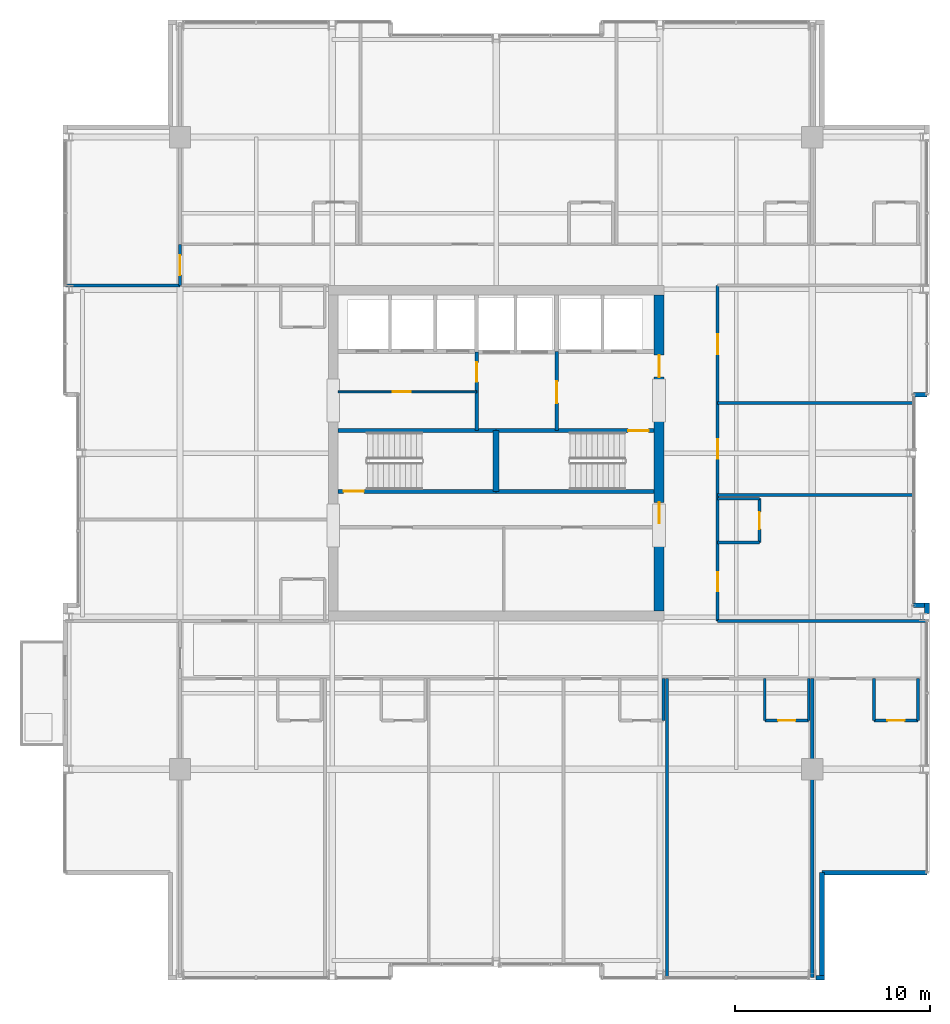
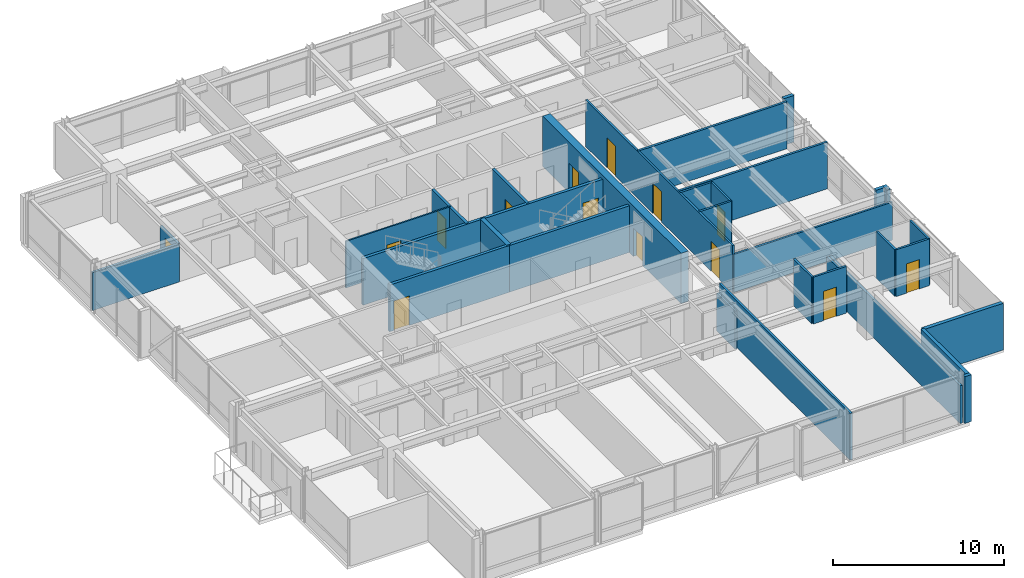
# One storey, part 27 of 32: 33 walls, 14 doors, 14 openings.
"""IFC4 building model written with IfcOpenShell, lengths in metres."""

from ifc_helpers import new_model, si_unit, direction, frame, frame_2d, origin, place, context, subcontext, project, spatial, rectangle, extrude, material, layer, layer_set, type_object, element, fill, save


model = new_model("IFC4")

# Units and contexts
model_context = context("Model", 3, precision=1e-05, world=origin(), true_north=direction((0.0, 1.0)))
body_context = subcontext(model_context, "Body", "Model", "MODEL_VIEW")
ifc_project = project(units=[si_unit("LENGTHUNIT", "METRE"), si_unit("AREAUNIT", "SQUARE_METRE"), si_unit("VOLUMEUNIT", "CUBIC_METRE"), si_unit("PLANEANGLEUNIT", "RADIAN"), si_unit("MASSUNIT", "GRAM", prefix="KILO")], contexts=[model_context])

# Site, building, storey
site_placement = place(None, origin())
site = spatial("IfcSite", under=ifc_project, at=site_placement, CompositionType="ELEMENT")
building_placement = place(site_placement, origin())
building = spatial("IfcBuilding", under=site, at=building_placement, Name="Drelvath Grand Hotel", CompositionType="ELEMENT")
storey_placement = place(building_placement, frame((0.0, 0.0, 226.699951171875)))
storey = spatial("IfcBuildingStorey", under=building, at=storey_placement, Name="L59", CompositionType="ELEMENT", Elevation=226.699951171875)

# Wall, opening, door
ifc_material_1 = material(Name="Gypsum Partition Board")
ifc_layer_1 = layer(ifc_material_1, 0.10009765625)
ifc_layer_set_1 = layer_set([ifc_layer_1], Name="Gypsum Partition Board")
wall_type_1 = type_object("IfcWallType", Name="Core Closet Partition 100", PredefinedType="PARTITIONING", material=ifc_layer_set_1)
wall_1_placement = place(storey_placement, frame((-8.10009765625, 30.139892578125, 0.0), z_axis=(0.0, 0.0, 1.0), x_axis=(1.0, 0.0, 0.0)))
wall_1 = element("IfcWall", 1, at=wall_1_placement, inside=storey, type_object=wall_type_1, Name="L59 High-Rise Lobby Closet Wall", PredefinedType="PARTITIONING", context=body_context, shape_type="SweptSolid", body=[
    extrude(rectangle(XDim=7.10009765625, YDim=0.10009765625, at=frame_2d((3.550048828125, 0.0))), origin(), (0.0, 0.0, 1.0), 3.340087890625),
])
opening_1_placement = place(wall_1_placement, frame((2.800048828125, 0.0, 0.0)))
opening_1 = element("IfcOpeningElement", 2, at=opening_1_placement, cuts=wall_1, Name="Opening D-T4G3-013", PredefinedType="OPENING", context=body_context, shape_type="SweptSolid", body=[
    extrude(rectangle(XDim=0.919921875, YDim=2.10009765625, at=frame_2d((0.4599609375, 1.050048828125))), frame((0.0, 0.06005859375, 0.0), z_axis=(0.0, -1.0, 0.0), x_axis=(1.0, 0.0, 0.0)), (0.0, 0.0, 1.0), 0.1201171875),
])
ifc_material_2 = material(Name="Painted Steel S275", Category="steel")
door_type_1 = type_object("IfcDoorType", Name="Staff Utility Door 920x2100", OperationType="NOTDEFINED", PredefinedType="DOOR", material=ifc_material_2)
door_1_placement = place(opening_1_placement, origin())
door_1 = element("IfcDoor", 3, at=door_1_placement, inside=storey, type_object=door_type_1, Name="L59 Core Telecom Door", OperationType="SINGLE_SWING_RIGHT", OverallHeight=2.10009765625, OverallWidth=0.919921875, PredefinedType="DOOR", context=body_context, shape_type="SweptSolid", body=[
    extrude(rectangle(XDim=0.919921875, YDim=2.10009765625, at=frame_2d((0.4599609375, 1.050048828125))), frame((0.0, 0.02490234375, 0.0), z_axis=(0.0, -1.0, 0.0), x_axis=(1.0, 0.0, 0.0)), (0.0, 0.0, 1.0), 0.050048828125),
])
fill(opening_1, door_1)

ifc_material_3 = material(Name="Concrete C40/50", Category="concrete")
ifc_layer_2 = layer(ifc_material_3, 0.199951171875)
ifc_layer_set_2 = layer_set([ifc_layer_2], Name="Concrete C40/50")
wall_type_2 = type_object("IfcWallType", Name="Core Shaft Fire Wall 200", PredefinedType="SOLIDWALL", material=ifc_layer_set_2)
wall_2_placement = place(storey_placement, frame((-8.10009765625, 25.0400390625, 0.0), z_axis=(0.0, 0.0, 1.0), x_axis=(1.0, 0.0, 0.0)))
wall_2 = element("IfcWall", 4, at=wall_2_placement, inside=storey, type_object=wall_type_2, Name="L59 Stair ST-1 South Wall", PredefinedType="SOLIDWALL", context=body_context, shape_type="SweptSolid", body=[
    extrude(rectangle(XDim=8.10009765625, YDim=0.199951171875, at=frame_2d((4.050048828125, 0.0))), origin(), (0.0, 0.0, 1.0), 3.340087890625),
])
opening_2_placement = place(wall_2_placement, frame((0.280029296875, 0.0, 0.0)))
opening_2 = element("IfcOpeningElement", 5, at=opening_2_placement, cuts=wall_2, Name="Opening D-T4G3-001", PredefinedType="OPENING", context=body_context, shape_type="SweptSolid", body=[
    extrude(rectangle(XDim=1.050048828125, YDim=2.10009765625, at=frame_2d((0.52490234375, 1.050048828125))), frame((0.0, 0.10986328125, 0.0), z_axis=(0.0, -1.0, 0.0), x_axis=(1.0, 0.0, 0.0)), (0.0, 0.0, 1.0), 0.219970703125),
])
door_type_2 = type_object("IfcDoorType", Name="Tower Stairwell Fire Door 1050x2100", OperationType="NOTDEFINED", PredefinedType="DOOR", material=ifc_material_2)
door_2_placement = place(opening_2_placement, origin())
door_2 = element("IfcDoor", 6, at=door_2_placement, inside=storey, type_object=door_type_2, Name="L59 Exit Stair ST-1 Door", OperationType="SINGLE_SWING_LEFT", OverallHeight=2.10009765625, OverallWidth=1.050048828125, PredefinedType="DOOR", context=body_context, shape_type="SweptSolid", body=[
    extrude(rectangle(XDim=1.050048828125, YDim=2.10009765625, at=frame_2d((0.52490234375, 1.050048828125))), frame((0.0, 0.02490234375, 0.0), z_axis=(0.0, -1.0, 0.0), x_axis=(1.0, 0.0, 0.0)), (0.0, 0.0, 1.0), 0.050048828125),
])
fill(opening_2, door_2)

# Walls
for number, where, z_axis, x_axis, name in (
    (7, (-8.10009765625, 28.159912109375, 0.0), (0.0, 0.0, 1.0), (1.0, 0.0, 0.0), "L59 Stair ST-1 North Wall"),
    (8, (0.0, 25.0400390625, 0.0), (0.0, 0.0, 1.0), (1.0, 0.0, 0.0), "L59 Stair ST-2 South Wall"),
):
    element("IfcWall", number, at=place(storey_placement, frame(where, z_axis=z_axis, x_axis=x_axis)), inside=storey, type_object=wall_type_2, Name=name, PredefinedType="SOLIDWALL", context=body_context, shape_type="SweptSolid", body=[
        extrude(rectangle(XDim=8.10009765625, YDim=0.199951171875, at=frame_2d((4.050048828125, 0.0))), origin(), (0.0, 0.0, 1.0), 3.340087890625),
    ])

# Wall, opening, door
wall_3_placement = place(storey_placement, frame((8.10009765625, 28.159912109375, 0.0), z_axis=(0.0, 0.0, 1.0), x_axis=(-1.0, 0.0, 0.0)))
wall_3 = element("IfcWall", 9, at=wall_3_placement, inside=storey, type_object=wall_type_2, Name="L59 Stair ST-2 North Wall", PredefinedType="SOLIDWALL", context=body_context, shape_type="SweptSolid", body=[
    extrude(rectangle(XDim=8.10009765625, YDim=0.199951171875, at=frame_2d((4.050048828125, 0.0))), origin(), (0.0, 0.0, 1.0), 3.340087890625),
])
opening_3_placement = place(wall_3_placement, frame((0.280029296875, 0.0, 0.0)))
opening_3 = element("IfcOpeningElement", 10, at=opening_3_placement, cuts=wall_3, Name="Opening D-T4G3-002", PredefinedType="OPENING", context=body_context, shape_type="SweptSolid", body=[
    extrude(rectangle(XDim=1.050048828125, YDim=2.10009765625, at=frame_2d((0.52490234375, 1.050048828125))), frame((0.0, 0.10986328125, 0.0), z_axis=(0.0, -1.0, 0.0), x_axis=(1.0, 0.0, 0.0)), (0.0, 0.0, 1.0), 0.219970703125),
])
door_3_placement = place(opening_3_placement, origin())
door_3 = element("IfcDoor", 11, at=door_3_placement, inside=storey, type_object=door_type_2, Name="L59 Exit Stair ST-2 Door", OperationType="SINGLE_SWING_LEFT", OverallHeight=2.10009765625, OverallWidth=1.050048828125, PredefinedType="DOOR", context=body_context, shape_type="SweptSolid", body=[
    extrude(rectangle(XDim=1.050048828125, YDim=2.10009765625, at=frame_2d((0.52490234375, 1.050048828125))), frame((0.0, 0.02490234375, 0.0), z_axis=(0.0, -1.0, 0.0), x_axis=(1.0, 0.0, 0.0)), (0.0, 0.0, 1.0), 0.050048828125),
])
fill(opening_3, door_3)

# Walls
ifc_layer_3 = layer(ifc_material_3, 0.300048828125)
ifc_layer_set_3 = layer_set([ifc_layer_3], Name="Concrete C40/50")
wall_type_3 = type_object("IfcWallType", Name="Core Shaft Fire Wall 300", PredefinedType="SOLIDWALL", material=ifc_layer_set_3)
wall_4_placement = place(storey_placement, frame((0.0, 25.0400390625, 0.0), z_axis=(0.0, 0.0, 1.0), x_axis=(0.0, 1.0, 0.0)))
element("IfcWall", 12, at=wall_4_placement, inside=storey, type_object=wall_type_3, Name="L59 Core Stair Divider Wall", PredefinedType="SOLIDWALL", context=body_context, shape_type="SweptSolid", body=[
    extrude(rectangle(XDim=3.119873046875, YDim=0.300048828125, at=frame_2d((1.56005859375, 0.0))), origin(), (0.0, 0.0, 1.0), 3.340087890625),
])
ifc_material_4 = material(Name="Gypsum Fireboard Partition")
ifc_layer_4 = layer(ifc_material_4, 0.135009765625)
ifc_layer_set_4 = layer_set([ifc_layer_4], Name="Gypsum Fireboard Partition")
wall_type_4 = type_object("IfcWallType", Name="Corridor Fire Barrier Wall 135", PredefinedType="PARTITIONING", material=ifc_layer_set_4)
wall_5_placement = place(storey_placement, frame((11.35009765625, 18.39990234375, 0.0), z_axis=(0.0, 0.0, 1.0), x_axis=(1.0, 0.0, 0.0)))
element("IfcWall", 13, at=wall_5_placement, inside=storey, type_object=wall_type_4, Name="L59 South Gallery Inner East Wall", PredefinedType="PARTITIONING", context=body_context, shape_type="SweptSolid", body=[
    extrude(rectangle(XDim=10.72998046875, YDim=0.135009765625, at=frame_2d((5.364990234375, 0.0))), origin(), (0.0, 0.0, 1.0), 2.717529296875),
])

# Wall, openings, doors
wall_6_placement = place(storey_placement, frame((11.35009765625, 18.39990234375, 0.0), z_axis=(0.0, 0.0, 1.0), x_axis=(0.0, 1.0, 0.0)))
wall_6 = element("IfcWall", 14, at=wall_6_placement, inside=storey, type_object=wall_type_4, Name="L59 East Gallery Link Wall", PredefinedType="PARTITIONING", context=body_context, shape_type="SweptSolid", body=[
    extrude(rectangle(XDim=17.2001953125, YDim=0.135009765625, at=frame_2d((8.60009765625, 0.0))), origin(), (0.0, 0.0, 1.0), 3.340087890625),
])
opening_4_placement = place(wall_6_placement, frame((1.530029296875, 0.0, 0.0)))
opening_4 = element("IfcOpeningElement", 15, at=opening_4_placement, cuts=wall_6, Name="Opening D-T4G3-039", PredefinedType="OPENING", context=body_context, shape_type="SweptSolid", body=[
    extrude(rectangle(XDim=0.9599609375, YDim=2.14990234375, at=frame_2d((0.47998046875, 1.074951171875))), frame((0.0, 0.077392578125, 0.0), z_axis=(0.0, -1.0, 0.0), x_axis=(1.0, 0.0, 0.0)), (0.0, 0.0, 1.0), 0.155029296875),
])
opening_5_placement = place(wall_6_placement, frame((8.304931640625, 0.0, 0.0)))
opening_5 = element("IfcOpeningElement", 16, at=opening_5_placement, cuts=wall_6, Name="Opening D-T4G3-040", PredefinedType="OPENING", context=body_context, shape_type="SweptSolid", body=[
    extrude(rectangle(XDim=1.02001953125, YDim=2.14990234375, at=frame_2d((0.510009765625, 1.074951171875))), frame((0.0, 0.077392578125, 0.0), z_axis=(0.0, -1.0, 0.0), x_axis=(1.0, 0.0, 0.0)), (0.0, 0.0, 1.0), 0.155029296875),
])
opening_6_placement = place(wall_6_placement, frame((13.679931640625, 0.0, 0.0)))
opening_6 = element("IfcOpeningElement", 17, at=opening_6_placement, cuts=wall_6, Name="Opening D-T4G3-041", PredefinedType="OPENING", context=body_context, shape_type="SweptSolid", body=[
    extrude(rectangle(XDim=1.02001953125, YDim=2.14990234375, at=frame_2d((0.510009765625, 1.074951171875))), frame((0.0, 0.077392578125, 0.0), z_axis=(0.0, -1.0, 0.0), x_axis=(1.0, 0.0, 0.0)), (0.0, 0.0, 1.0), 0.155029296875),
])
ifc_material_5 = material(Name="Hardwood Walnut Timber", Category="wood")
door_type_3 = type_object("IfcDoorType", Name="Amenity Meeting Fire Door 1020x2150", OperationType="NOTDEFINED", PredefinedType="DOOR", material=ifc_material_5)
door_4_placement = place(opening_5_placement, origin())
door_4 = element("IfcDoor", 18, at=door_4_placement, inside=storey, type_object=door_type_3, Name="L59 Quiet Study Library Entry Door", OperationType="SINGLE_SWING_LEFT", OverallHeight=2.14990234375, OverallWidth=1.02001953125, PredefinedType="DOOR", context=body_context, shape_type="SweptSolid", body=[
    extrude(rectangle(XDim=1.02001953125, YDim=2.14990234375, at=frame_2d((0.510009765625, 1.074951171875))), frame((0.0, 0.02490234375, 0.0), z_axis=(0.0, -1.0, 0.0), x_axis=(1.0, 0.0, 0.0)), (0.0, 0.0, 1.0), 0.050048828125),
])
fill(opening_5, door_4)
door_5_placement = place(opening_6_placement, origin())
door_5 = element("IfcDoor", 19, at=door_5_placement, inside=storey, type_object=door_type_3, Name="L59 Press Briefing Room Entry Door", OperationType="SINGLE_SWING_RIGHT", OverallHeight=2.14990234375, OverallWidth=1.02001953125, PredefinedType="DOOR", context=body_context, shape_type="SweptSolid", body=[
    extrude(rectangle(XDim=1.02001953125, YDim=2.14990234375, at=frame_2d((0.510009765625, 1.074951171875))), frame((0.0, 0.02490234375, 0.0), z_axis=(0.0, -1.0, 0.0), x_axis=(1.0, 0.0, 0.0)), (0.0, 0.0, 1.0), 0.050048828125),
])
fill(opening_6, door_5)
door_type_4 = type_object("IfcDoorType", Name="Guestroom Entrance Fire Door 960x2150", OperationType="NOTDEFINED", PredefinedType="DOOR", material=ifc_material_5)
door_6_placement = place(opening_4_placement, origin())
door_6 = element("IfcDoor", 20, at=door_6_placement, inside=storey, type_object=door_type_4, Name="L59 Deluxe Guest Room Entry Door", OperationType="SINGLE_SWING_RIGHT", OverallHeight=2.14990234375, OverallWidth=0.9599609375, PredefinedType="DOOR", context=body_context, shape_type="SweptSolid", body=[
    extrude(rectangle(XDim=0.9599609375, YDim=2.14990234375, at=frame_2d((0.47998046875, 1.074951171875))), frame((0.0, 0.02490234375, 0.0), z_axis=(0.0, -1.0, 0.0), x_axis=(1.0, 0.0, 0.0)), (0.0, 0.0, 1.0), 0.050048828125),
])
fill(opening_4, door_6)

# Wall, opening, door
wall_7_placement = place(storey_placement, frame((-16.199951171875, 35.60009765625, 0.0), z_axis=(0.0, 0.0, 1.0), x_axis=(0.0, 1.0, 0.0)))
wall_7 = element("IfcWall", 21, at=wall_7_placement, inside=storey, type_object=wall_type_4, Name="L59 North Gallery West End", PredefinedType="PARTITIONING", context=body_context, shape_type="SweptSolid", body=[
    extrude(rectangle(XDim=2.099853515625, YDim=0.135009765625, at=frame_2d((1.0498046875, 0.0))), origin(), (0.0, 0.0, 1.0), 2.7138671875),
])
opening_7_placement = place(wall_7_placement, frame((0.52001953125, 0.0, 0.0)))
opening_7 = element("IfcOpeningElement", 22, at=opening_7_placement, cuts=wall_7, Name="Opening D-T4G3-018", PredefinedType="OPENING", context=body_context, shape_type="SweptSolid", body=[
    extrude(rectangle(XDim=1.02001953125, YDim=2.14990234375, at=frame_2d((0.510009765625, 1.074951171875))), frame((0.0, 0.077392578125, 0.0), z_axis=(0.0, -1.0, 0.0), x_axis=(1.0, 0.0, 0.0)), (0.0, 0.0, 1.0), 0.155029296875),
])
door_7_placement = place(opening_7_placement, origin())
door_7 = element("IfcDoor", 23, at=door_7_placement, inside=storey, type_object=door_type_3, Name="L59 Corner Panorama Lounge Door", OperationType="SINGLE_SWING_LEFT", OverallHeight=2.14990234375, OverallWidth=1.02001953125, PredefinedType="DOOR", context=body_context, shape_type="SweptSolid", body=[
    extrude(rectangle(XDim=1.02001953125, YDim=2.14990234375, at=frame_2d((0.510009765625, 1.074951171875))), frame((0.0, 0.02490234375, 0.0), z_axis=(0.0, -1.0, 0.0), x_axis=(1.0, 0.0, 0.0)), (0.0, 0.0, 1.0), 0.050048828125),
])
fill(opening_7, door_7)

# Walls
ifc_material_6 = material(Name="Moisture-Resistant Gypsum Board")
ifc_layer_5 = layer(ifc_material_6, 0.139892578125)
ifc_layer_set_5 = layer_set([ifc_layer_5], Name="Moisture-Resistant Gypsum Board")
wall_type_5 = type_object("IfcWallType", Name="En-Suite Plumbing Wall 140", PredefinedType="PLUMBINGWALL", material=ifc_layer_set_5)
for number, where, z_axis, x_axis, name in (
    (24, (19.3701171875, 15.449951171875, 0.0), (0.0, 0.0, 1.0), (0.0, -1.0, 0.0), "L59 En-Suite Left Wall"),
    (25, (21.6201171875, 15.449951171875, 0.0), (0.0, 0.0, 1.0), (0.0, -1.0, 0.0), "L59 En-Suite Right Wall"),
):
    element("IfcWall", number, at=place(storey_placement, frame(where, z_axis=z_axis, x_axis=x_axis)), inside=storey, type_object=wall_type_5, Name=name, PredefinedType="PLUMBINGWALL", context=body_context, shape_type="SweptSolid", body=[
        extrude(rectangle(XDim=2.14990234375, YDim=0.139892578125, at=frame_2d((1.074951171875, 0.0))), origin(), (0.0, 0.0, 1.0), 3.340087890625),
    ])

# Wall, opening, door
wall_8_placement = place(storey_placement, frame((19.3701171875, 13.300048828125, 0.0), z_axis=(0.0, 0.0, 1.0), x_axis=(1.0, 0.0, 0.0)))
wall_8 = element("IfcWall", 26, at=wall_8_placement, inside=storey, type_object=wall_type_5, Name="L59 En-Suite Front Wall", PredefinedType="PLUMBINGWALL", context=body_context, shape_type="SweptSolid", body=[
    extrude(rectangle(XDim=2.25, YDim=0.139892578125, at=frame_2d((1.125, 0.0))), origin(), (0.0, 0.0, 1.0), 3.340087890625),
])
opening_8_placement = place(wall_8_placement, frame((0.68505859375, 0.0, 0.0)))
opening_8 = element("IfcOpeningElement", 27, at=opening_8_placement, cuts=wall_8, Name="Opening D-T4G3-019", PredefinedType="OPENING", context=body_context, shape_type="SweptSolid", body=[
    extrude(rectangle(XDim=0.8798828125, YDim=2.10009765625, at=frame_2d((0.43994140625, 1.050048828125))), frame((0.0, 0.079833984375, 0.0), z_axis=(0.0, -1.0, 0.0), x_axis=(1.0, 0.0, 0.0)), (0.0, 0.0, 1.0), 0.159912109375),
])
door_type_5 = type_object("IfcDoorType", Name="En-Suite Bathroom Door 880x2100", OperationType="NOTDEFINED", PredefinedType="DOOR", material=ifc_material_5)
door_8_placement = place(opening_8_placement, origin())
door_8 = element("IfcDoor", 28, at=door_8_placement, inside=storey, type_object=door_type_5, Name="L59 En-Suite Bathroom Door", OperationType="SINGLE_SWING_RIGHT", OverallHeight=2.10009765625, OverallWidth=0.8798828125, PredefinedType="DOOR", context=body_context, shape_type="SweptSolid", body=[
    extrude(rectangle(XDim=0.8798828125, YDim=2.10009765625, at=frame_2d((0.43994140625, 1.050048828125))), frame((0.0, 0.02490234375, 0.0), z_axis=(0.0, -1.0, 0.0), x_axis=(1.0, 0.0, 0.0)), (0.0, 0.0, 1.0), 0.050048828125),
])
fill(opening_8, door_8)

# Walls
wall_9_placement = place(storey_placement, frame((8.583984375, 15.449951171875, 0.0), z_axis=(0.0, 0.0, 1.0), x_axis=(0.0, -1.0, 0.0)))
element("IfcWall", 29, at=wall_9_placement, inside=storey, type_object=wall_type_5, Name="L59 En-Suite Right Wall", PredefinedType="PLUMBINGWALL", context=body_context, shape_type="SweptSolid", body=[
    extrude(rectangle(XDim=2.14990234375, YDim=0.139892578125, at=frame_2d((1.074951171875, 0.0))), origin(), (0.0, 0.0, 1.0), 2.717529296875),
])
wall_10_placement = place(storey_placement, frame((13.77001953125, 15.449951171875, 0.0), z_axis=(0.0, 0.0, 1.0), x_axis=(0.0, -1.0, 0.0)))
element("IfcWall", 30, at=wall_10_placement, inside=storey, type_object=wall_type_5, Name="L59 En-Suite Left Wall", PredefinedType="PLUMBINGWALL", context=body_context, shape_type="SweptSolid", body=[
    extrude(rectangle(XDim=2.14990234375, YDim=0.139892578125, at=frame_2d((1.074951171875, 0.0))), origin(), (0.0, 0.0, 1.0), 3.340087890625),
])
wall_11_placement = place(storey_placement, frame((16.02001953125, 15.449951171875, 0.0), z_axis=(0.0, 0.0, 1.0), x_axis=(0.0, -1.0, 0.0)))
element("IfcWall", 31, at=wall_11_placement, inside=storey, type_object=wall_type_5, Name="L59 En-Suite Right Wall", PredefinedType="PLUMBINGWALL", context=body_context, shape_type="SweptSolid", body=[
    extrude(rectangle(XDim=2.14990234375, YDim=0.139892578125, at=frame_2d((1.074951171875, 0.0))), origin(), (0.0, 0.0, 1.0), 2.7138671875),
])

# Wall, opening, door
wall_12_placement = place(storey_placement, frame((13.77001953125, 13.300048828125, 0.0), z_axis=(0.0, 0.0, 1.0), x_axis=(1.0, 0.0, 0.0)))
wall_12 = element("IfcWall", 32, at=wall_12_placement, inside=storey, type_object=wall_type_5, Name="L59 En-Suite Front Wall", PredefinedType="PLUMBINGWALL", context=body_context, shape_type="SweptSolid", body=[
    extrude(rectangle(XDim=2.25, YDim=0.139892578125, at=frame_2d((1.125, 0.0))), origin(), (0.0, 0.0, 1.0), 3.340087890625),
])
opening_9_placement = place(wall_12_placement, frame((0.68505859375, 0.0, 0.0)))
opening_9 = element("IfcOpeningElement", 33, at=opening_9_placement, cuts=wall_12, Name="Opening D-T4G3-030", PredefinedType="OPENING", context=body_context, shape_type="SweptSolid", body=[
    extrude(rectangle(XDim=0.8798828125, YDim=2.10009765625, at=frame_2d((0.43994140625, 1.050048828125))), frame((0.0, 0.079833984375, 0.0), z_axis=(0.0, -1.0, 0.0), x_axis=(1.0, 0.0, 0.0)), (0.0, 0.0, 1.0), 0.159912109375),
])
door_9_placement = place(opening_9_placement, origin())
door_9 = element("IfcDoor", 34, at=door_9_placement, inside=storey, type_object=door_type_5, Name="L59 En-Suite Bathroom Door", OperationType="SINGLE_SWING_LEFT", OverallHeight=2.10009765625, OverallWidth=0.8798828125, PredefinedType="DOOR", context=body_context, shape_type="SweptSolid", body=[
    extrude(rectangle(XDim=0.8798828125, YDim=2.10009765625, at=frame_2d((0.43994140625, 1.050048828125))), frame((0.0, 0.02490234375, 0.0), z_axis=(0.0, -1.0, 0.0), x_axis=(1.0, 0.0, 0.0)), (0.0, 0.0, 1.0), 0.050048828125),
])
fill(opening_9, door_9)

# Walls
for number, where, z_axis, x_axis, name in (
    (35, (11.35009765625, 22.419921875, 0.0), (0.0, 0.0, 1.0), (1.0, 0.0, 0.0), "L59 En-Suite Left Wall"),
    (36, (11.35009765625, 24.669921875, 0.0), (0.0, 0.0, 1.0), (1.0, 0.0, 0.0), "L59 En-Suite Right Wall"),
):
    element("IfcWall", number, at=place(storey_placement, frame(where, z_axis=z_axis, x_axis=x_axis)), inside=storey, type_object=wall_type_5, Name=name, PredefinedType="PLUMBINGWALL", context=body_context, shape_type="SweptSolid", body=[
        extrude(rectangle(XDim=2.14990234375, YDim=0.139892578125, at=frame_2d((1.074951171875, 0.0))), origin(), (0.0, 0.0, 1.0), 3.340087890625),
    ])

# Wall, opening, door
wall_13_placement = place(storey_placement, frame((13.5, 22.419921875, 0.0), z_axis=(0.0, 0.0, 1.0), x_axis=(0.0, 1.0, 0.0)))
wall_13 = element("IfcWall", 37, at=wall_13_placement, inside=storey, type_object=wall_type_5, Name="L59 En-Suite Front Wall", PredefinedType="PLUMBINGWALL", context=body_context, shape_type="SweptSolid", body=[
    extrude(rectangle(XDim=2.25, YDim=0.139892578125, at=frame_2d((1.125, 0.0))), origin(), (0.0, 0.0, 1.0), 3.340087890625),
])
opening_10_placement = place(wall_13_placement, frame((0.68505859375, 0.0, 0.0)))
opening_10 = element("IfcOpeningElement", 38, at=opening_10_placement, cuts=wall_13, Name="Opening D-T4G3-038", PredefinedType="OPENING", context=body_context, shape_type="SweptSolid", body=[
    extrude(rectangle(XDim=0.8798828125, YDim=2.10009765625, at=frame_2d((0.43994140625, 1.050048828125))), frame((0.0, 0.079833984375, 0.0), z_axis=(0.0, -1.0, 0.0), x_axis=(1.0, 0.0, 0.0)), (0.0, 0.0, 1.0), 0.159912109375),
])
door_10_placement = place(opening_10_placement, origin())
door_10 = element("IfcDoor", 39, at=door_10_placement, inside=storey, type_object=door_type_5, Name="L59 En-Suite Bathroom Door", OperationType="SINGLE_SWING_LEFT", OverallHeight=2.10009765625, OverallWidth=0.8798828125, PredefinedType="DOOR", context=body_context, shape_type="SweptSolid", body=[
    extrude(rectangle(XDim=0.8798828125, YDim=2.10009765625, at=frame_2d((0.43994140625, 1.050048828125))), frame((0.0, 0.02490234375, 0.0), z_axis=(0.0, -1.0, 0.0), x_axis=(1.0, 0.0, 0.0)), (0.0, 0.0, 1.0), 0.050048828125),
])
fill(opening_10, door_10)

ifc_layer_6 = layer(ifc_material_4, 0.179931640625)
ifc_layer_set_6 = layer_set([ifc_layer_6], Name="Gypsum Fireboard Partition")
wall_type_6 = type_object("IfcWallType", Name="FSAE Smoke Lobby Fire Wall 180", PredefinedType="SOLIDWALL", material=ifc_layer_set_6)
wall_14_placement = place(storey_placement, frame((3.10009765625, 28.159912109375, 0.0), z_axis=(0.0, 0.0, 1.0), x_axis=(0.0, 1.0, 0.0)))
wall_14 = element("IfcWall", 40, at=wall_14_placement, inside=storey, type_object=wall_type_6, Name="L59 FSAE Smoke Lobby West Wall", PredefinedType="SOLIDWALL", context=body_context, shape_type="SweptSolid", body=[
    extrude(rectangle(XDim=4.06005859375, YDim=0.179931640625, at=frame_2d((2.030029296875, 0.0))), origin(), (0.0, 0.0, 1.0), 3.340087890625),
])
opening_11_placement = place(wall_14_placement, frame((1.39990234375, 0.0, 0.0)))
opening_11 = element("IfcOpeningElement", 41, at=opening_11_placement, cuts=wall_14, Name="Opening D-T4G3-005", PredefinedType="OPENING", context=body_context, shape_type="SweptSolid", body=[
    extrude(rectangle(XDim=1.1201171875, YDim=2.10009765625, at=frame_2d((0.56005859375, 1.050048828125))), frame((0.0, 0.099853515625, 0.0), z_axis=(0.0, -1.0, 0.0), x_axis=(1.0, 0.0, 0.0)), (0.0, 0.0, 1.0), 0.199951171875),
])
door_type_6 = type_object("IfcDoorType", Name="FSAE Smoke Lobby Fire Door 1120x2100", OperationType="NOTDEFINED", PredefinedType="DOOR", material=ifc_material_2)
door_11_placement = place(opening_11_placement, origin())
door_11 = element("IfcDoor", 42, at=door_11_placement, inside=storey, type_object=door_type_6, Name="L59 FSAE Lobby Service Vestibule Door", OperationType="SINGLE_SWING_RIGHT", OverallHeight=2.10009765625, OverallWidth=1.1201171875, PredefinedType="DOOR", context=body_context, shape_type="SweptSolid", body=[
    extrude(rectangle(XDim=1.1201171875, YDim=2.10009765625, at=frame_2d((0.56005859375, 1.050048828125))), frame((0.0, 0.02490234375, 0.0), z_axis=(0.0, -1.0, 0.0), x_axis=(1.0, 0.0, 0.0)), (0.0, 0.0, 1.0), 0.050048828125),
])
fill(opening_11, door_11)

wall_15_placement = place(storey_placement, frame((-1.0, 28.159912109375, 0.0), z_axis=(0.0, 0.0, 1.0), x_axis=(0.0, 1.0, 0.0)))
wall_15 = element("IfcWall", 43, at=wall_15_placement, inside=storey, type_object=wall_type_6, Name="L59 Service Vestibule West Wall", PredefinedType="SOLIDWALL", context=body_context, shape_type="SweptSolid", body=[
    extrude(rectangle(XDim=4.02001953125, YDim=0.179931640625, at=frame_2d((2.010009765625, 0.0))), origin(), (0.0, 0.0, 1.0), 3.340087890625),
])
opening_12_placement = place(wall_15_placement, frame((2.489990234375, 0.0, 0.0)))
opening_12 = element("IfcOpeningElement", 44, at=opening_12_placement, cuts=wall_15, Name="Opening D-T4G3-009", PredefinedType="OPENING", context=body_context, shape_type="SweptSolid", body=[
    extrude(rectangle(XDim=1.0, YDim=2.10009765625, at=frame_2d((0.5, 1.050048828125))), frame((0.0, 0.099853515625, 0.0), z_axis=(0.0, -1.0, 0.0), x_axis=(1.0, 0.0, 0.0)), (0.0, 0.0, 1.0), 0.199951171875),
])
door_type_7 = type_object("IfcDoorType", Name="Core Service Fire Door 1000x2100", OperationType="NOTDEFINED", PredefinedType="DOOR", material=ifc_material_2)
door_12_placement = place(opening_12_placement, origin())
door_12 = element("IfcDoor", 45, at=door_12_placement, inside=storey, type_object=door_type_7, Name="L59 Service Vestibule West Door", OperationType="SINGLE_SWING_LEFT", OverallHeight=2.10009765625, OverallWidth=1.0, PredefinedType="DOOR", context=body_context, shape_type="SweptSolid", body=[
    extrude(rectangle(XDim=1.0, YDim=2.10009765625, at=frame_2d((0.5, 1.050048828125))), frame((0.0, 0.02490234375, 0.0), z_axis=(0.0, -1.0, 0.0), x_axis=(1.0, 0.0, 0.0)), (0.0, 0.0, 1.0), 0.050048828125),
])
fill(opening_12, door_12)

# Walls
ifc_material_7 = material(Name="Gypsum Acoustic Partition")
ifc_layer_7 = layer(ifc_material_7, 0.14990234375)
ifc_layer_set_7 = layer_set([ifc_layer_7], Name="Gypsum Acoustic Partition")
wall_type_7 = type_object("IfcWallType", Name="Guestroom Demising Wall 150", PredefinedType="PARTITIONING", material=ifc_layer_set_7)
wall_16_placement = place(storey_placement, frame((8.763916015625, 0.1201171875, 0.0), z_axis=(0.0, 0.0, 1.0), x_axis=(0.0, 1.0, 0.0)))
element("IfcWall", 46, at=wall_16_placement, inside=storey, type_object=wall_type_7, Name="L59 South Demising 4", PredefinedType="PARTITIONING", context=body_context, shape_type="SweptSolid", body=[
    extrude(rectangle(XDim=15.329833984375, YDim=0.14990234375, at=frame_2d((7.6650390625, 0.0))), origin(), (0.0, 0.0, 1.0), 3.340087890625),
])
for number, where, z_axis, x_axis, name in (
    (47, (11.35009765625, 24.85009765625, 0.0), (0.0, 0.0, 1.0), (1.0, 0.0, 0.0), "L59 East Demising 1"),
    (48, (11.35009765625, 29.580078125, 0.0), (0.0, 0.0, 1.0), (1.0, 0.0, 0.0), "L59 East Demising 2"),
):
    element("IfcWall", number, at=place(storey_placement, frame(where, z_axis=z_axis, x_axis=x_axis)), inside=storey, type_object=wall_type_7, Name=name, PredefinedType="PARTITIONING", context=body_context, shape_type="SweptSolid", body=[
        extrude(rectangle(XDim=10.0498046875, YDim=0.14990234375, at=frame_2d((5.02490234375, 0.0))), origin(), (0.0, 0.0, 1.0), 3.340087890625),
    ])
ifc_layer_8 = layer(ifc_material_7, 0.1650390625)
ifc_layer_set_8 = layer_set([ifc_layer_8], Name="Gypsum Acoustic Partition")
wall_type_8 = type_object("IfcWallType", Name="Suite Demising Wall 165", PredefinedType="PARTITIONING", material=ifc_layer_set_8)
wall_17_placement = place(storey_placement, frame((16.199951171875, 0.1201171875, 0.0), z_axis=(0.0, 0.0, 1.0), x_axis=(0.0, 1.0, 0.0)))
element("IfcWall", 49, at=wall_17_placement, inside=storey, type_object=wall_type_8, Name="L59 SE Suite Wall", PredefinedType="PARTITIONING", context=body_context, shape_type="SweptSolid", body=[
    extrude(rectangle(XDim=15.329833984375, YDim=0.1650390625, at=frame_2d((7.6650390625, 0.0))), origin(), (0.0, 0.0, 1.0), 2.7138671875),
])
wall_18_placement = place(storey_placement, frame((-22.080078125, 35.60009765625, 0.0), z_axis=(0.0, 0.0, 1.0), x_axis=(1.0, 0.0, 0.0)))
element("IfcWall", 50, at=wall_18_placement, inside=storey, type_object=wall_type_8, Name="L59 NW Corner South Wall", PredefinedType="PARTITIONING", context=body_context, shape_type="SweptSolid", body=[
    extrude(rectangle(XDim=5.880126953125, YDim=0.1650390625, at=frame_2d((2.93994140625, 0.0))), origin(), (0.0, 0.0, 1.0), 2.7138671875),
])
ifc_material_8 = material(Name="Pale-Metal Insulated Aluminium Spandrel Assembly", Category="aluminium")
ifc_layer_9 = layer(ifc_material_8, 0.239990234375)
ifc_layer_set_9 = layer_set([ifc_layer_9], Name="Pale-Metal Insulated Aluminium Spandrel Assembly")
wall_type_9 = type_object("IfcWallType", Name="Tower Insulated Metal Spandrel Closure Wall 240", PredefinedType="STANDARD", material=ifc_layer_set_9)
wall_19_placement = place(storey_placement, frame((22.080078125, 19.320068359375, 0.0), z_axis=(0.0, 0.0, 1.0), x_axis=(0.0, -1.0, 0.0)))
element("IfcWall", 51, at=wall_19_placement, inside=storey, type_object=wall_type_9, Name="L59 Corner Pier Spandrel Wall ES3", PredefinedType="STANDARD", context=body_context, shape_type="SweptSolid", body=[
    extrude(rectangle(XDim=0.53466796875, YDim=0.239990234375, at=frame_2d((0.267333984375, 0.0))), origin(), (0.0, 0.0, 1.0), 3.340087890625),
])
wall_20_placement = place(storey_placement, frame((16.820068359375, 0.1201171875, 0.0), z_axis=(0.0, 0.0, 1.0), x_axis=(-1.0, 0.0, 0.0)))
element("IfcWall", 52, at=wall_20_placement, inside=storey, type_object=wall_type_9, Name="L59 Corner Pier Spandrel Wall SE3", PredefinedType="STANDARD", context=body_context, shape_type="SweptSolid", body=[
    extrude(rectangle(XDim=0.434814453125, YDim=0.239990234375, at=frame_2d((0.21728515625, 0.0))), origin(), (0.0, 0.0, 1.0), 3.340087890625),
])
wall_21_placement = place(storey_placement, frame((22.080078125, 5.5, 0.0), z_axis=(0.0, 0.0, 1.0), x_axis=(-1.0, 0.0, 0.0)))
element("IfcWall", 53, at=wall_21_placement, inside=storey, type_object=wall_type_9, Name="L59 Notched Corner Return Spandrel Wall CSE1", PredefinedType="STANDARD", context=body_context, shape_type="SweptSolid", body=[
    extrude(rectangle(XDim=5.380126953125, YDim=0.239990234375, at=frame_2d((2.68994140625, 0.0))), origin(), (0.0, 0.0, 1.0), 3.340087890625),
])
wall_22_placement = place(storey_placement, frame((16.699951171875, 5.5, 0.0), z_axis=(0.0, 0.0, 1.0), x_axis=(0.0, -1.0, 0.0)))
element("IfcWall", 54, at=wall_22_placement, inside=storey, type_object=wall_type_9, Name="L59 Notched Corner Return Spandrel Wall CSE2", PredefinedType="STANDARD", context=body_context, shape_type="SweptSolid", body=[
    extrude(rectangle(XDim=5.260009765625, YDim=0.239990234375, at=frame_2d((2.6298828125, 0.0))), origin(), (0.0, 0.0, 1.0), 3.340087890625),
])
wall_23_placement = place(storey_placement, frame((22.080078125, 30.0, 0.0), z_axis=(0.0, 0.0, 1.0), x_axis=(-1.0, 0.0, 0.0)))
element("IfcWall", 55, at=wall_23_placement, inside=storey, type_object=wall_type_9, Name="L59 Notched Corner Return Spandrel Wall RE1", PredefinedType="STANDARD", context=body_context, shape_type="SweptSolid", body=[
    extrude(rectangle(XDim=0.68017578125, YDim=0.239990234375, at=frame_2d((0.340087890625, 0.0))), origin(), (0.0, 0.0, 1.0), 3.340087890625),
])
wall_24_placement = place(storey_placement, frame((21.39990234375, 19.199951171875, 0.0), z_axis=(0.0, 0.0, 1.0), x_axis=(1.0, 0.0, 0.0)))
element("IfcWall", 56, at=wall_24_placement, inside=storey, type_object=wall_type_9, Name="L59 Notched Corner Return Spandrel Wall RE2", PredefinedType="STANDARD", context=body_context, shape_type="SweptSolid", body=[
    extrude(rectangle(XDim=0.56005859375, YDim=0.239990234375, at=frame_2d((0.280029296875, 0.0))), origin(), (0.0, 0.0, 1.0), 3.340087890625),
])

# Wall, openings, doors
ifc_material_9 = material(Name="Concrete f'c 55 MPa", Category="concrete")
ifc_layer_10 = layer(ifc_material_9, 0.5)
ifc_layer_set_10 = layer_set([ifc_layer_10], Name="Concrete f'c 55 MPa")
wall_type_10 = type_object("IfcWallType", Name="Upper Core RC Shear Wall 500", PredefinedType="SHEAR", material=ifc_layer_set_10)
wall_25_placement = place(storey_placement, frame((8.35009765625, 35.10009765625, 0.0), z_axis=(0.0, 0.0, 1.0), x_axis=(0.0, -1.0, 0.0)))
wall_25 = element("IfcWall", 57, at=wall_25_placement, inside=storey, type_object=wall_type_10, Name="L59 Central Core Shear Wall E", PredefinedType="SHEAR", context=body_context, shape_type="SweptSolid", body=[
    extrude(rectangle(XDim=16.2001953125, YDim=0.5, at=frame_2d((8.10009765625, 0.0))), origin(), (0.0, 0.0, 1.0), 3.60009765625),
])
opening_13_placement = place(wall_25_placement, frame((3.080078125, 0.0, 0.0)))
opening_13 = element("IfcOpeningElement", 58, at=opening_13_placement, cuts=wall_25, Name="Opening D-T4G3-006", PredefinedType="OPENING", context=body_context, shape_type="SweptSolid", body=[
    extrude(rectangle(XDim=1.1201171875, YDim=2.10009765625, at=frame_2d((0.56005859375, 1.050048828125))), frame((0.0, 0.260009765625, 0.0), z_axis=(0.0, -1.0, 0.0), x_axis=(1.0, 0.0, 0.0)), (0.0, 0.0, 1.0), 0.52001953125),
])
opening_14_placement = place(wall_25_placement, frame((10.6201171875, 0.0, 0.0)))
opening_14 = element("IfcOpeningElement", 59, at=opening_14_placement, cuts=wall_25, Name="Opening D-T4G3-014", PredefinedType="OPENING", context=body_context, shape_type="SweptSolid", body=[
    extrude(rectangle(XDim=1.080078125, YDim=2.0400390625, at=frame_2d((0.5400390625, 1.02001953125))), frame((0.0, 0.260009765625, 0.0), z_axis=(0.0, -1.0, 0.0), x_axis=(1.0, 0.0, 0.0)), (0.0, 0.0, 1.0), 0.52001953125),
])
door_type_8 = type_object("IfcDoorType", Name="Core Corridor Fire Door 1080x2100", OperationType="NOTDEFINED", PredefinedType="DOOR", material=ifc_material_2)
door_13_placement = place(opening_14_placement, origin())
door_13 = element("IfcDoor", 60, at=door_13_placement, inside=storey, type_object=door_type_8, Name="L59 Core Passage East Door", OperationType="SINGLE_SWING_LEFT", OverallHeight=2.0400390625, OverallWidth=1.080078125, PredefinedType="DOOR", context=body_context, shape_type="SweptSolid", body=[
    extrude(rectangle(XDim=1.080078125, YDim=2.0400390625, at=frame_2d((0.5400390625, 1.02001953125))), frame((0.0, 0.02490234375, 0.0), z_axis=(0.0, -1.0, 0.0), x_axis=(1.0, 0.0, 0.0)), (0.0, 0.0, 1.0), 0.050048828125),
])
fill(opening_14, door_13)
door_14_placement = place(opening_13_placement, origin())
door_14 = element("IfcDoor", 61, at=door_14_placement, inside=storey, type_object=door_type_6, Name="L59 FSAE Lobby East Corridor Door", OperationType="SINGLE_SWING_LEFT", OverallHeight=2.10009765625, OverallWidth=1.1201171875, PredefinedType="DOOR", context=body_context, shape_type="SweptSolid", body=[
    extrude(rectangle(XDim=1.1201171875, YDim=2.10009765625, at=frame_2d((0.56005859375, 1.050048828125))), frame((0.0, 0.02490234375, 0.0), z_axis=(0.0, -1.0, 0.0), x_axis=(1.0, 0.0, 0.0)), (0.0, 0.0, 1.0), 0.050048828125),
])
fill(opening_13, door_14)

save(model, "model.ifc")
